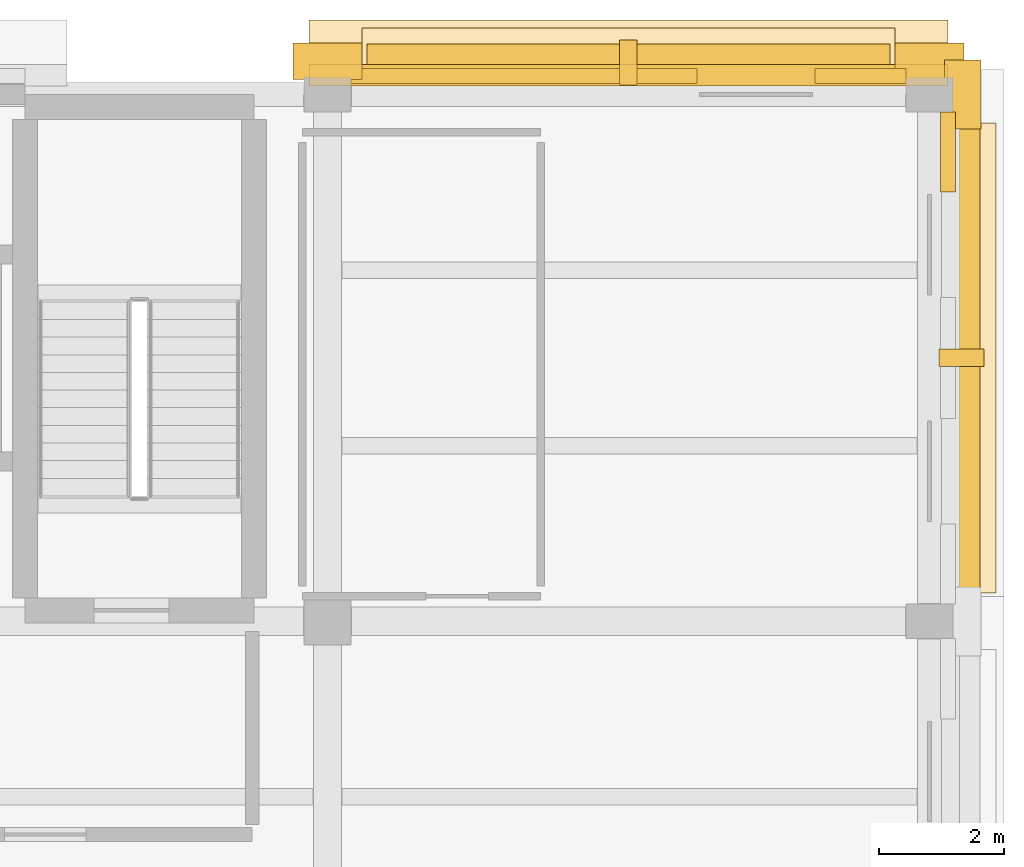
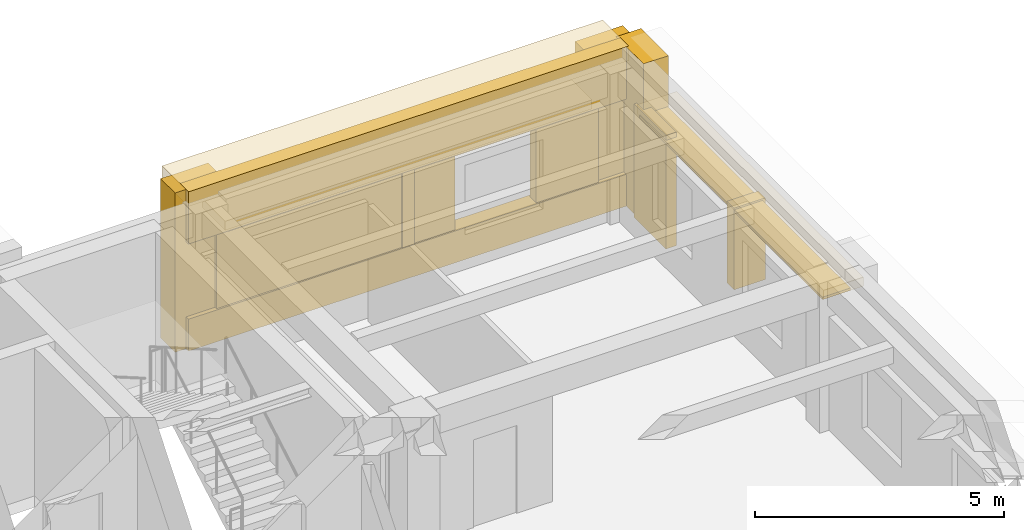
# One storey, part 12 of 12: 13 coverings, 2 shading devices.
"""IFC4 building model written with IfcOpenShell, lengths in metres."""

from ifc_helpers import new_model, si_unit, direction, frame, origin, origin_2d, place, context, subcontext, project, spatial, rectangle, extrude, material, layer, layer_set, type_object, element, save


model = new_model("IFC4")

# Units and contexts
model_context = context("Model", 3, precision=1e-05, world=origin(), true_north=direction((0.0, 1.0)))
body_context = subcontext(model_context, "Body", "Model", "MODEL_VIEW")
ifc_project = project(units=[si_unit("LENGTHUNIT", "METRE"), si_unit("AREAUNIT", "SQUARE_METRE"), si_unit("VOLUMEUNIT", "CUBIC_METRE"), si_unit("PLANEANGLEUNIT", "RADIAN"), si_unit("MASSUNIT", "GRAM", prefix="KILO")], contexts=[model_context])

# Site, building, storey
site_placement = place(None, origin())
site = spatial("IfcSite", under=ifc_project, at=site_placement, CompositionType="ELEMENT")
building_placement = place(site_placement, origin())
building = spatial("IfcBuilding", under=site, at=building_placement, Name="Bempovik Park Faculty of Sciences", CompositionType="ELEMENT")
storey_placement = place(building_placement, frame((0.0, 0.0, 34.5)))
storey = spatial("IfcBuildingStorey", under=building, at=storey_placement, Name="L08", CompositionType="ELEMENT", Elevation=34.5)

# Coverings
ifc_material_1 = material(Name="Precast concrete C40/50", Category="concrete")
ifc_layer_1 = layer(ifc_material_1, 0.179931640625)
ifc_layer_set_1 = layer_set([ifc_layer_1], Name="Precast concrete C40/50")
covering_type_1 = type_object("IfcCoveringType", Name="CL-02 Classical Cornice Band 180mm", PredefinedType="CLADDING", material=ifc_layer_set_1)
covering_1_placement = place(storey_placement, frame((118.199951171875, 115.199951171875, 2.66015625), z_axis=(0.0, 0.0, 1.0), x_axis=(1.0, 0.0, 0.0)))
element("IfcCovering", 1, at=covering_1_placement, inside=storey, type_object=covering_type_1, Name="L08 Classical Stone Solar Window Hood EW-L08-10799", PredefinedType="CLADDING", context=body_context, shape_type="SweptSolid", body=[
    extrude(rectangle(XDim=0.919921875, YDim=7.49609375, at=origin_2d()), origin(), (0.0, 0.0, 1.0), 0.219970703125),
])
covering_2_placement = place(storey_placement, frame((112.800048828125, 120.06494140625, 3.5400390625), z_axis=(0.0, 0.0, 1.0), x_axis=(1.0, 0.0, 0.0)))
element("IfcCovering", 2, at=covering_2_placement, inside=storey, type_object=covering_type_1, Name="L08 Classical Projecting Dentil Cornice EW-L08-10877", PredefinedType="CLADDING", context=body_context, shape_type="SweptSolid", body=[
    extrude(rectangle(XDim=10.196044921875, YDim=1.050048828125, at=origin_2d()), origin(), (0.0, 0.0, 1.0), 0.360107421875),
])
covering_3_placement = place(storey_placement, frame((112.800048828125, 120.0, 2.66015625), z_axis=(0.0, 0.0, 1.0), x_axis=(1.0, 0.0, 0.0)))
element("IfcCovering", 3, at=covering_3_placement, inside=storey, type_object=covering_type_1, Name="L08 Classical Stone Solar Window Hood EW-L08-10877", PredefinedType="CLADDING", context=body_context, shape_type="SweptSolid", body=[
    extrude(rectangle(XDim=8.49609375, YDim=0.919921875, at=origin_2d()), origin(), (0.0, 0.0, 1.0), 0.219970703125),
])
ifc_material_2 = material(Name="White reconstituted limestone precast C40/50", Category="masonry")
ifc_layer_2 = layer(ifc_material_2, 0.239990234375)
ifc_layer_set_2 = layer_set([ifc_layer_2], Name="White reconstituted limestone precast C40/50")
covering_type_2 = type_object("IfcCoveringType", Name="CL-03 Classical Fluted Limestone Pilaster 240mm", PredefinedType="CLADDING", material=ifc_layer_set_2)
covering_4_placement = place(storey_placement, frame((118.1298828125, 119.39990234375, 0.0), z_axis=(0.0, 0.0, 1.0), x_axis=(1.0, 0.0, 0.0)))
element("IfcCovering", 4, at=covering_4_placement, inside=storey, type_object=covering_type_2, Name="L08 Classical Fluted Stone Pilaster PIL-BA-L08-1181-1194", PredefinedType="CLADDING", context=body_context, shape_type="SweptSolid", body=[
    extrude(rectangle(XDim=0.580078125, YDim=1.10009765625, at=origin_2d()), origin(), (0.0, 0.0, 1.0), 3.89990234375),
])
covering_5_placement = place(storey_placement, frame((117.89990234375, 118.48388671875, 0.0), z_axis=(0.0, 0.0, 1.0), x_axis=(1.0, 0.0, 0.0)))
element("IfcCovering", 5, at=covering_5_placement, inside=storey, type_object=covering_type_2, Name="L08 White Limestone Wall Cheek EW-L08-10799-4", PredefinedType="CLADDING", context=body_context, shape_type="SweptSolid", body=[
    extrude(rectangle(XDim=0.239990234375, YDim=1.2783203125, at=origin_2d()), origin(), (0.0, 0.0, 1.0), 2.780029296875),
])
covering_6_placement = place(storey_placement, frame((118.110107421875, 115.199951171875, 0.699951171875), z_axis=(0.0, 0.0, 1.0), x_axis=(1.0, 0.0, 0.0)))
element("IfcCovering", 6, at=covering_6_placement, inside=storey, type_object=covering_type_2, Name="L08 Classical Vertical Stone Shading Fin EW-L08-10799", PredefinedType="CLADDING", context=body_context, shape_type="SweptSolid", body=[
    extrude(rectangle(XDim=0.719970703125, YDim=0.280029296875, at=origin_2d()), origin(), (0.0, 0.0, 1.0), 2.0),
])
covering_7_placement = place(storey_placement, frame((108.0, 119.929931640625, 0.0), z_axis=(0.0, 0.0, 1.0), x_axis=(1.0, 0.0, 0.0)))
element("IfcCovering", 7, at=covering_7_placement, inside=storey, type_object=covering_type_2, Name="L08 Classical Fluted Stone Pilaster PIL-BA-L08-1080-1199", PredefinedType="CLADDING", context=body_context, shape_type="SweptSolid", body=[
    extrude(rectangle(XDim=1.10009765625, YDim=0.580078125, at=origin_2d()), origin(), (0.0, 0.0, 1.0), 3.89990234375),
])
covering_8_placement = place(storey_placement, frame((112.800048828125, 119.7099609375, 2.6201171875), z_axis=(0.0, 0.0, 1.0), x_axis=(1.0, 0.0, 0.0)))
element("IfcCovering", 8, at=covering_8_placement, inside=storey, type_object=covering_type_2, Name="L08 Classical Limestone Spandrel Entablature EW-L08-10877", PredefinedType="CLADDING", context=body_context, shape_type="SweptSolid", body=[
    extrude(rectangle(XDim=10.196044921875, YDim=0.340087890625, at=origin_2d()), origin(), (0.0, 0.0, 1.0), 1.280029296875),
])
covering_9_placement = place(storey_placement, frame((112.800048828125, 119.7099609375, 0.0), z_axis=(0.0, 0.0, 1.0), x_axis=(1.0, 0.0, 0.0)))
element("IfcCovering", 9, at=covering_9_placement, inside=storey, type_object=covering_type_2, Name="L08 Classical Limestone Sill Dado EW-L08-10877", PredefinedType="CLADDING", context=body_context, shape_type="SweptSolid", body=[
    extrude(rectangle(XDim=10.196044921875, YDim=0.340087890625, at=origin_2d()), origin(), (0.0, 0.0, 1.0), 0.780029296875),
])
covering_10_placement = place(storey_placement, frame((117.60009765625, 119.929931640625, 0.0), z_axis=(0.0, 0.0, 1.0), x_axis=(1.0, 0.0, 0.0)))
element("IfcCovering", 10, at=covering_10_placement, inside=storey, type_object=covering_type_2, Name="L08 Classical Fluted Stone Pilaster PIL-BA-L08-1176-1199", PredefinedType="CLADDING", context=body_context, shape_type="SweptSolid", body=[
    extrude(rectangle(XDim=1.10009765625, YDim=0.580078125, at=origin_2d()), origin(), (0.0, 0.0, 1.0), 3.89990234375),
])
covering_11_placement = place(storey_placement, frame((111.1357421875, 119.699951171875, 0.0), z_axis=(0.0, 0.0, 1.0), x_axis=(1.0, 0.0, 0.0)))
element("IfcCovering", 11, at=covering_11_placement, inside=storey, type_object=covering_type_2, Name="L08 White Limestone Wall Cheek EW-L08-10877-0", PredefinedType="CLADDING", context=body_context, shape_type="SweptSolid", body=[
    extrude(rectangle(XDim=5.517578125, YDim=0.239990234375, at=origin_2d()), origin(), (0.0, 0.0, 1.0), 2.780029296875),
])
covering_12_placement = place(storey_placement, frame((116.498779296875, 119.699951171875, 0.0), z_axis=(0.0, 0.0, 1.0), x_axis=(1.0, 0.0, 0.0)))
element("IfcCovering", 12, at=covering_12_placement, inside=storey, type_object=covering_type_2, Name="L08 White Limestone Wall Cheek EW-L08-10877-2", PredefinedType="CLADDING", context=body_context, shape_type="SweptSolid", body=[
    extrude(rectangle(XDim=1.448486328125, YDim=0.239990234375, at=origin_2d()), origin(), (0.0, 0.0, 1.0), 2.780029296875),
])
covering_13_placement = place(storey_placement, frame((112.800048828125, 119.909912109375, 0.699951171875), z_axis=(0.0, 0.0, 1.0), x_axis=(1.0, 0.0, 0.0)))
element("IfcCovering", 13, at=covering_13_placement, inside=storey, type_object=covering_type_2, Name="L08 Classical Vertical Stone Shading Fin EW-L08-10877", PredefinedType="CLADDING", context=body_context, shape_type="SweptSolid", body=[
    extrude(rectangle(XDim=0.280029296875, YDim=0.719970703125, at=origin_2d()), origin(), (0.0, 0.0, 1.0), 2.0),
])

# Shading devices
ifc_material_3 = material(Name="Anodised architectural bronze")
ifc_layer_3 = layer(ifc_material_3, 0.06005859375)
ifc_layer_set_3 = layer_set([ifc_layer_3], Name="Anodised architectural bronze")
shading_device_type = type_object("IfcShadingDeviceType", Name="SH-01 Bronze Brise-Soleil Fin", PredefinedType="USERDEFINED", material=ifc_layer_set_3)
shading_device_1_placement = place(storey_placement, frame((118.080078125, 115.199951171875, 2.599853515625), z_axis=(0.0, 0.0, 1.0), x_axis=(1.0, 0.0, 0.0)))
element("IfcShadingDevice", 14, at=shading_device_1_placement, inside=storey, type_object=shading_device_type, Name="L08 Equatorial Bronze Brise-Soleil EW-L08-10799", ObjectType="BRISE SOLEIL", PredefinedType="USERDEFINED", context=body_context, shape_type="SweptSolid", body=[
    extrude(rectangle(XDim=0.64990234375, YDim=7.345947265625, at=origin_2d()), origin(), (0.0, 0.0, 1.0), 0.06005859375),
])
shading_device_2_placement = place(storey_placement, frame((112.800048828125, 119.8798828125, 2.599853515625), z_axis=(0.0, 0.0, 1.0), x_axis=(1.0, 0.0, 0.0)))
element("IfcShadingDevice", 15, at=shading_device_2_placement, inside=storey, type_object=shading_device_type, Name="L08 Equatorial Bronze Brise-Soleil EW-L08-10877", ObjectType="BRISE SOLEIL", PredefinedType="USERDEFINED", context=body_context, shape_type="SweptSolid", body=[
    extrude(rectangle(XDim=8.345947265625, YDim=0.64990234375, at=origin_2d()), origin(), (0.0, 0.0, 1.0), 0.06005859375),
])

save(model, "model.ifc")
